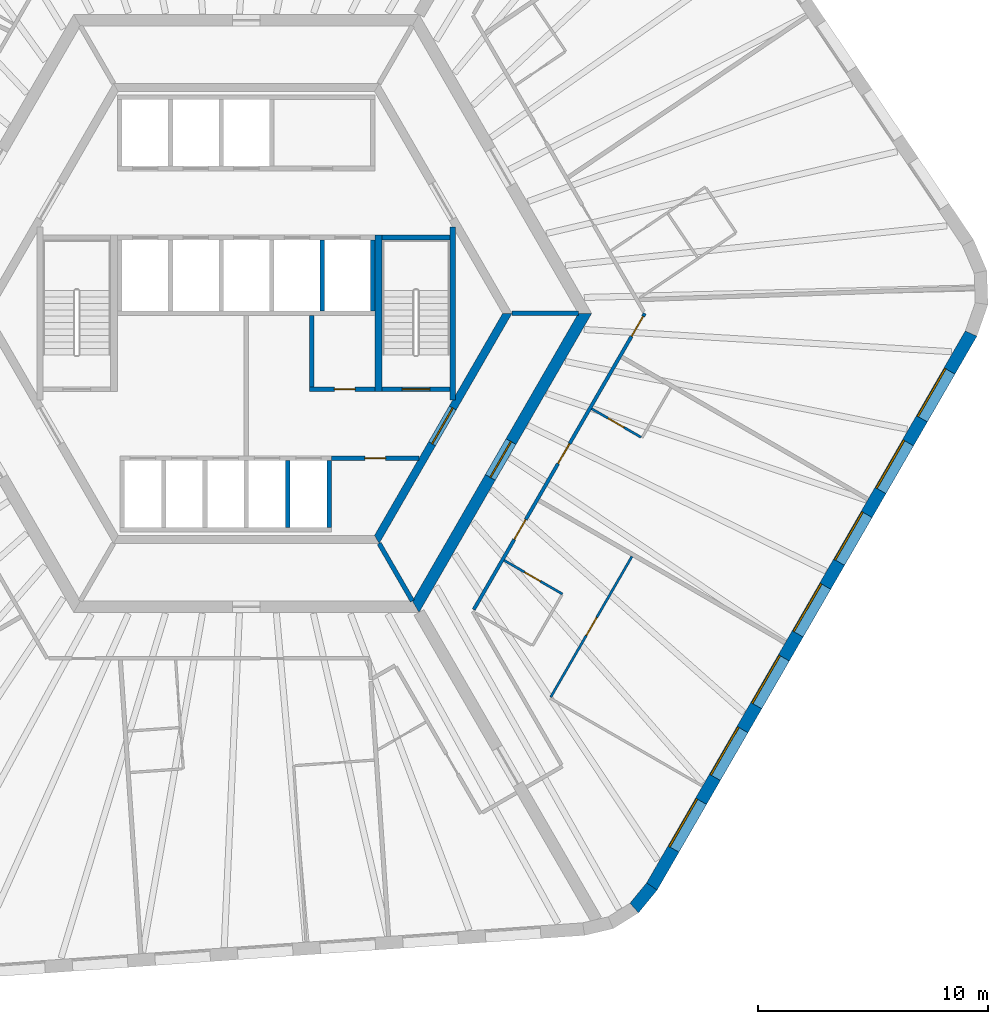
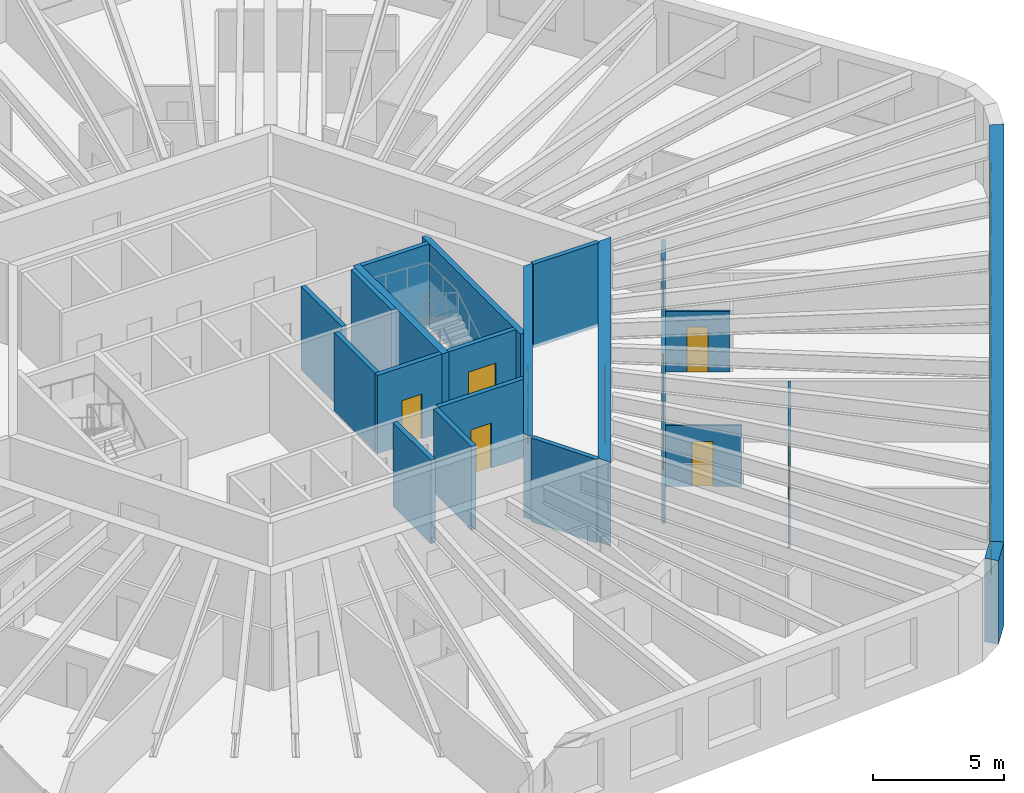
# One storey, part 5 of 10: 21 walls, 11 doors, 7 windows, 18 openings.
"""IFC4 building model written with IfcOpenShell, lengths in metres."""

from ifc_helpers import new_model, si_unit, direction, frame, frame_2d, origin, place, context, subcontext, project, spatial, polyline, rectangle, outline, extrude, material, layer, layer_set, type_object, element, fill, save


model = new_model("IFC4")

# Units and contexts
model_context = context("Model", 3, precision=1e-05, world=origin(), true_north=direction((0.0, 1.0)))
body_context = subcontext(model_context, "Body", "Model", "MODEL_VIEW")
ifc_project = project(units=[si_unit("LENGTHUNIT", "METRE"), si_unit("AREAUNIT", "SQUARE_METRE"), si_unit("VOLUMEUNIT", "CUBIC_METRE"), si_unit("PLANEANGLEUNIT", "RADIAN"), si_unit("MASSUNIT", "GRAM", prefix="KILO")], contexts=[model_context])

# Site, building, storey
site_placement = place(None, origin())
site = spatial("IfcSite", under=ifc_project, at=site_placement, CompositionType="ELEMENT")
building_placement = place(site_placement, origin())
building = spatial("IfcBuilding", under=site, at=building_placement, Name="Tarnside Tower", CompositionType="ELEMENT")
storey_placement = place(building_placement, frame((0.0, 0.0, 242.39990234375)))
storey = spatial("IfcBuildingStorey", under=building, at=storey_placement, Name="L58", CompositionType="ELEMENT", Elevation=242.39990234375)

# Wall, opening, door
ifc_material_1 = material(Name="Gypsum board partition on steel studs", Category="steel")
ifc_layer_1 = layer(ifc_material_1, 0.10009765625)
ifc_layer_set_1 = layer_set([ifc_layer_1], Name="Bathroom wall 100")
wall_type_1 = type_object("IfcWallType", Name="Bathroom wall 100", PredefinedType="PARTITIONING", material=ifc_layer_set_1)
wall_1_placement = place(storey_placement, frame((11.208740234375, -10.73583984375, 0.0), z_axis=(0.0, 0.0, 1.0), x_axis=(0.866046596414, -0.499963291492, 0.0)))
wall_1 = element("IfcWall", 1, at=wall_1_placement, inside=storey, type_object=wall_type_1, Name="Bathroom wall 19098", PredefinedType="PARTITIONING", context=body_context, shape_type="SweptSolid", body=[
    extrude(rectangle(XDim=2.925048828125, YDim=0.10009765625, at=frame_2d((1.46240234375, 0.0))), origin(), (0.0, 0.0, 1.0), 2.837890625),
])
opening_1_placement = place(wall_1_placement, frame((1.02490234375, 0.0, 0.0)))
opening_1 = element("IfcOpeningElement", 2, at=opening_1_placement, cuts=wall_1, Name="Opening D-B1", PredefinedType="OPENING", context=body_context, shape_type="SweptSolid", body=[
    extrude(rectangle(XDim=0.800048828125, YDim=2.10009765625, at=frame_2d((0.39990234375, 1.050048828125))), frame((0.0, 0.06005859375, 0.0), z_axis=(0.0, -1.0, 0.0), x_axis=(1.0, 0.0, 0.0)), (0.0, 0.0, 1.0), 0.1201171875),
])
ifc_material_2 = material(Name="Timber door leaf", Category="wood")
door_type_1 = type_object("IfcDoorType", Name="Bathroom door 800", OperationType="NOTDEFINED", PredefinedType="DOOR", material=ifc_material_2)
door_1_placement = place(opening_1_placement, origin())
door_1 = element("IfcDoor", 3, at=door_1_placement, inside=storey, type_object=door_type_1, Name="Bathroom door 19027", OperationType="SINGLE_SWING_RIGHT", OverallHeight=2.10009765625, OverallWidth=0.800048828125, PredefinedType="DOOR", context=body_context, shape_type="SweptSolid", body=[
    extrude(rectangle(XDim=0.800048828125, YDim=2.10009765625, at=frame_2d((0.39990234375, 1.050048828125))), frame((0.0, 0.02490234375, 0.0), z_axis=(0.0, -1.0, 0.0), x_axis=(1.0, 0.0, 0.0)), (0.0, 0.0, 1.0), 0.050048828125),
])
fill(opening_1, door_1)

wall_2_placement = place(storey_placement, frame((17.15771484375, -5.382080078125, 0.0), z_axis=(0.0, 0.0, 1.0), x_axis=(-0.866031185235, 0.4999899861, 0.0)))
wall_2 = element("IfcWall", 4, at=wall_2_placement, inside=storey, type_object=wall_type_1, Name="Bathroom wall 19106", PredefinedType="PARTITIONING", context=body_context, shape_type="SweptSolid", body=[
    extrude(rectangle(XDim=2.47509765625, YDim=0.10009765625, at=frame_2d((1.237548828125, 0.0))), origin(), (0.0, 0.0, 1.0), 2.837890625),
])
opening_2_placement = place(wall_2_placement, frame((0.85009765625, 0.0, 0.0)))
opening_2 = element("IfcOpeningElement", 5, at=opening_2_placement, cuts=wall_2, Name="Opening D-B1", PredefinedType="OPENING", context=body_context, shape_type="SweptSolid", body=[
    extrude(rectangle(XDim=0.800048828125, YDim=2.10009765625, at=frame_2d((0.39990234375, 1.050048828125))), frame((0.0, 0.06005859375, 0.0), z_axis=(0.0, -1.0, 0.0), x_axis=(1.0, 0.0, 0.0)), (0.0, 0.0, 1.0), 0.1201171875),
])
door_2_placement = place(opening_2_placement, origin())
door_2 = element("IfcDoor", 6, at=door_2_placement, inside=storey, type_object=door_type_1, Name="Bathroom door 19030", OperationType="SINGLE_SWING_LEFT", OverallHeight=2.10009765625, OverallWidth=0.800048828125, PredefinedType="DOOR", context=body_context, shape_type="SweptSolid", body=[
    extrude(rectangle(XDim=0.800048828125, YDim=2.10009765625, at=frame_2d((0.39990234375, 1.050048828125))), frame((0.0, 0.02490234375, 0.0), z_axis=(0.0, -1.0, 0.0), x_axis=(1.0, 0.0, 0.0)), (0.0, 0.0, 1.0), 0.050048828125),
])
fill(opening_2, door_2)

ifc_material_3 = material(Name="Concrete C50/60", Category="concrete")
ifc_layer_2 = layer(ifc_material_3, 0.35009765625)
ifc_layer_set_2 = layer_set([ifc_layer_2], Name="Core block wall 350 C50/60")
wall_type_2 = type_object("IfcWallType", Name="Core block wall 350 C50/60", PredefinedType="SHEAR", material=ifc_layer_set_2)
wall_3_placement = place(storey_placement, frame((5.672607421875, -9.824951171875, -0.14990234375), z_axis=(0.0, 0.0, 1.0), x_axis=(0.499995046907, 0.866028263435, 0.0)))
wall_3 = element("IfcWall", 7, at=wall_3_placement, inside=storey, type_object=wall_type_2, Name="L58 core block wall face 5", PredefinedType="SHEAR", context=body_context, shape_type="SweptSolid", body=[
    extrude(outline(polyline([(-0.10107421875, -0.175048828125), (11.44580078125, -0.175048828125), (11.24365234375, 0.175048828125), (0.10107421875, 0.175048828125), (-0.10107421875, -0.175048828125)])), origin(), (0.0, 0.0, 1.0), 3.89990234375),
])
opening_3_placement = place(wall_3_placement, frame((4.80126953125, 0.0, 0.14990234375)))
opening_3 = element("IfcOpeningElement", 8, at=opening_3_placement, cuts=wall_3, Name="Opening CD-FFL", PredefinedType="OPENING", context=body_context, shape_type="SweptSolid", body=[
    extrude(rectangle(XDim=1.800048828125, YDim=2.39990234375, at=frame_2d((0.89990234375, 1.199951171875))), frame((0.0, 0.18505859375, 0.0), z_axis=(0.0, -1.0, 0.0), x_axis=(1.0, 0.0, 0.0)), (0.0, 0.0, 1.0), 0.3701171875),
])
ifc_material_4 = material(Name="Steel fire door", Category="steel")
door_type_2 = type_object("IfcDoorType", Name="Firefighting lobby double door FD60S 1800x2400", OperationType="NOTDEFINED", PredefinedType="DOOR", material=ifc_material_4)
door_3_placement = place(opening_3_placement, origin())
door_3 = element("IfcDoor", 9, at=door_3_placement, inside=storey, type_object=door_type_2, Name="L58 lobby block door P4", OperationType="DOUBLE_DOOR_SINGLE_SWING", OverallHeight=2.39990234375, OverallWidth=1.800048828125, PredefinedType="DOOR", context=body_context, shape_type="SweptSolid", body=[
    extrude(rectangle(XDim=1.800048828125, YDim=2.39990234375, at=frame_2d((0.89990234375, 1.199951171875))), frame((0.0, 0.02490234375, 0.0), z_axis=(0.0, -1.0, 0.0), x_axis=(1.0, 0.0, 0.0)), (0.0, 0.0, 1.0), 0.050048828125),
])
fill(opening_3, door_3)

ifc_material_5 = material(Name="Concrete C40/50", Category="concrete")
ifc_layer_3 = layer(ifc_material_5, 0.199951171875)
ifc_layer_set_3 = layer_set([ifc_layer_3], Name="Core room partition 200 C40/50")
wall_type_3 = type_object("IfcWallType", Name="Core room partition 200 C40/50", PredefinedType="PARTITIONING", material=ifc_layer_set_3)
wall_4_placement = place(storey_placement, frame((2.75, -3.300048828125, 0.0), z_axis=(0.0, 0.0, 1.0), x_axis=(1.0, 0.0, 0.0)))
wall_4 = element("IfcWall", 10, at=wall_4_placement, inside=storey, type_object=wall_type_3, Name="L58 core partition R3S1", PredefinedType="PARTITIONING", context=body_context, shape_type="SweptSolid", body=[
    extrude(rectangle(XDim=2.85009765625, YDim=0.199951171875, at=frame_2d((1.425048828125, 0.0))), origin(), (0.0, 0.0, 1.0), 3.650146484375),
])
opening_4_placement = place(wall_4_placement, frame((1.074951171875, 0.0, 0.0)))
opening_4 = element("IfcOpeningElement", 11, at=opening_4_placement, cuts=wall_4, Name="Opening CD-room", PredefinedType="OPENING", context=body_context, shape_type="SweptSolid", body=[
    extrude(rectangle(XDim=0.89990234375, YDim=2.10009765625, at=frame_2d((0.449951171875, 1.050048828125))), frame((0.0, 0.10986328125, 0.0), z_axis=(0.0, -1.0, 0.0), x_axis=(1.0, 0.0, 0.0)), (0.0, 0.0, 1.0), 0.219970703125),
])
door_type_3 = type_object("IfcDoorType", Name="Room door FD60 900x2100", OperationType="NOTDEFINED", PredefinedType="DOOR", material=ifc_material_4)
door_4_placement = place(opening_4_placement, origin())
door_4 = element("IfcDoor", 12, at=door_4_placement, inside=storey, type_object=door_type_3, Name="L58 core room door SR1", OperationType="SINGLE_SWING_LEFT", OverallHeight=2.10009765625, OverallWidth=0.89990234375, PredefinedType="DOOR", context=body_context, shape_type="SweptSolid", body=[
    extrude(rectangle(XDim=0.89990234375, YDim=2.10009765625, at=frame_2d((0.449951171875, 1.050048828125))), frame((0.0, 0.02490234375, 0.0), z_axis=(0.0, -1.0, 0.0), x_axis=(1.0, 0.0, 0.0)), (0.0, 0.0, 1.0), 0.050048828125),
])
fill(opening_4, door_4)

# Wall
wall_5_placement = place(storey_placement, frame((2.85009765625, -3.199951171875, 0.0), z_axis=(0.0, 0.0, 1.0), x_axis=(0.0, 1.0, 0.0)))
element("IfcWall", 13, at=wall_5_placement, inside=storey, type_object=wall_type_3, Name="L58 core partition R3P1a", PredefinedType="PARTITIONING", context=body_context, shape_type="SweptSolid", body=[
    extrude(rectangle(XDim=3.099853515625, YDim=0.199951171875, at=frame_2d((1.5498046875, 0.0))), origin(), (0.0, 0.0, 1.0), 3.650146484375),
])

# Wall, opening, door
wall_6_placement = place(storey_placement, frame((3.699951171875, -6.300048828125, 0.0), z_axis=(0.0, 0.0, 1.0), x_axis=(1.0, 0.0, 0.0)))
wall_6 = element("IfcWall", 14, at=wall_6_placement, inside=storey, type_object=wall_type_3, Name="L58 core partition R4X", PredefinedType="PARTITIONING", context=body_context, shape_type="SweptSolid", body=[
    extrude(rectangle(XDim=3.8056640625, YDim=0.199951171875, at=frame_2d((1.90283203125, 0.0))), origin(), (0.0, 0.0, 1.0), 3.650146484375),
])
opening_5_placement = place(wall_6_placement, frame((1.452880859375, 0.0, 0.0)))
opening_5 = element("IfcOpeningElement", 15, at=opening_5_placement, cuts=wall_6, Name="Opening CD-room", PredefinedType="OPENING", context=body_context, shape_type="SweptSolid", body=[
    extrude(rectangle(XDim=0.89990234375, YDim=2.10009765625, at=frame_2d((0.449951171875, 1.050048828125))), frame((0.0, 0.10986328125, 0.0), z_axis=(0.0, -1.0, 0.0), x_axis=(1.0, 0.0, 0.0)), (0.0, 0.0, 1.0), 0.219970703125),
])
door_5_placement = place(opening_5_placement, origin())
door_5 = element("IfcDoor", 16, at=door_5_placement, inside=storey, type_object=door_type_3, Name="L58 core room door RX", OperationType="SINGLE_SWING_LEFT", OverallHeight=2.10009765625, OverallWidth=0.89990234375, PredefinedType="DOOR", context=body_context, shape_type="SweptSolid", body=[
    extrude(rectangle(XDim=0.89990234375, YDim=2.10009765625, at=frame_2d((0.449951171875, 1.050048828125))), frame((0.0, 0.02490234375, 0.0), z_axis=(0.0, -1.0, 0.0), x_axis=(1.0, 0.0, 0.0)), (0.0, 0.0, 1.0), 0.050048828125),
])
fill(opening_5, door_5)

ifc_material_6 = material(Name="Concrete C70/85", Category="concrete")
ifc_layer_4 = layer(ifc_material_6, 0.5)
ifc_layer_set_4 = layer_set([ifc_layer_4], Name="Core wall Z2 500 C70/85")
wall_type_4 = type_object("IfcWallType", Name="Core wall Z2 500 C70/85", PredefinedType="SHEAR", material=ifc_layer_set_4)
wall_7_placement = place(storey_placement, frame((7.361083984375, -12.75, -0.14990234375), z_axis=(0.0, 0.0, 1.0), x_axis=(0.50000571537, 0.866022103989, 0.0)))
wall_7 = element("IfcWall", 17, at=wall_7_placement, inside=storey, type_object=wall_type_4, Name="L58 core wall face 5", PredefinedType="SHEAR", context=body_context, shape_type="SweptSolid", body=[
    extrude(outline(polyline([(-0.144287109375, -0.25), (14.86669921875, -0.25), (14.578125, 0.25), (0.144287109375, 0.25), (-0.144287109375, -0.25)])), origin(), (0.0, 0.0, 1.0), 3.89990234375),
])
opening_6_placement = place(wall_7_placement, frame((6.489990234375, 0.0, 0.14990234375)))
opening_6 = element("IfcOpeningElement", 18, at=opening_6_placement, cuts=wall_7, Name="Opening CD-FFL", PredefinedType="OPENING", context=body_context, shape_type="SweptSolid", body=[
    extrude(rectangle(XDim=1.800048828125, YDim=2.39990234375, at=frame_2d((0.89990234375, 1.199951171875))), frame((0.0, 0.260009765625, 0.0), z_axis=(0.0, -1.0, 0.0), x_axis=(1.0, 0.0, 0.0)), (0.0, 0.0, 1.0), 0.52001953125),
])
door_6_placement = place(opening_6_placement, origin())
door_6 = element("IfcDoor", 19, at=door_6_placement, inside=storey, type_object=door_type_2, Name="L58 core door P4", OperationType="DOUBLE_DOOR_SINGLE_SWING", OverallHeight=2.39990234375, OverallWidth=1.800048828125, PredefinedType="DOOR", context=body_context, shape_type="SweptSolid", body=[
    extrude(rectangle(XDim=1.800048828125, YDim=2.39990234375, at=frame_2d((0.89990234375, 1.199951171875))), frame((0.0, 0.02490234375, 0.0), z_axis=(0.0, -1.0, 0.0), x_axis=(1.0, 0.0, 0.0)), (0.0, 0.0, 1.0), 0.050048828125),
])
fill(opening_6, door_6)

# Wall, openings, doors
ifc_layer_5 = layer(ifc_material_1, 0.14990234375)
ifc_layer_set_5 = layer_set([ifc_layer_5], Name="Corridor wall 150 EI 60")
wall_type_5 = type_object("IfcWallType", Name="Corridor wall 150 EI 60", PredefinedType="PARTITIONING", material=ifc_layer_set_5)
wall_8_placement = place(storey_placement, frame((9.88720703125, -12.875, 0.0), z_axis=(0.0, 0.0, 1.0), x_axis=(0.499998228944, 0.866026426302, 0.0)))
wall_8 = element("IfcWall", 20, at=wall_8_placement, inside=storey, type_object=wall_type_5, Name="Corridor wall 19036", PredefinedType="PARTITIONING", context=body_context, shape_type="SweptSolid", body=[
    extrude(rectangle(XDim=14.86669921875, YDim=0.14990234375, at=frame_2d((7.433349609375, 0.0))), origin(), (0.0, 0.0, 1.0), 2.837890625),
])
opening_7_placement = place(wall_8_placement, frame((3.518798828125, 0.0, 0.0)))
opening_7 = element("IfcOpeningElement", 21, at=opening_7_placement, cuts=wall_8, Name="Opening D-E1", PredefinedType="OPENING", context=body_context, shape_type="SweptSolid", body=[
    extrude(rectangle(XDim=1.0, YDim=2.10009765625, at=frame_2d((0.5, 1.050048828125))), frame((0.0, 0.0849609375, 0.0), z_axis=(0.0, -1.0, 0.0), x_axis=(1.0, 0.0, 0.0)), (0.0, 0.0, 1.0), 0.169921875),
])
opening_8_placement = place(wall_8_placement, frame((7.324462890625, 0.0, 0.0)))
opening_8 = element("IfcOpeningElement", 22, at=opening_8_placement, cuts=wall_8, Name="Opening D-E1", PredefinedType="OPENING", context=body_context, shape_type="SweptSolid", body=[
    extrude(rectangle(XDim=1.0, YDim=2.10009765625, at=frame_2d((0.5, 1.050048828125))), frame((0.0, 0.0849609375, 0.0), z_axis=(0.0, -1.0, 0.0), x_axis=(1.0, 0.0, 0.0)), (0.0, 0.0, 1.0), 0.169921875),
])
opening_9_placement = place(wall_8_placement, frame((13.716796875, 0.0, 0.0)))
opening_9 = element("IfcOpeningElement", 23, at=opening_9_placement, cuts=wall_8, Name="Opening D-E1", PredefinedType="OPENING", context=body_context, shape_type="SweptSolid", body=[
    extrude(rectangle(XDim=1.0, YDim=2.10009765625, at=frame_2d((0.5, 1.050048828125))), frame((0.0, 0.0849609375, 0.0), z_axis=(0.0, -1.0, 0.0), x_axis=(1.0, 0.0, 0.0)), (0.0, 0.0, 1.0), 0.169921875),
])
door_type_4 = type_object("IfcDoorType", Name="Unit entrance door 1000 FD30S", OperationType="NOTDEFINED", PredefinedType="DOOR", material=ifc_material_2)
door_7_placement = place(opening_7_placement, origin())
door_7 = element("IfcDoor", 24, at=door_7_placement, inside=storey, type_object=door_type_4, Name="Unit door 19026", OperationType="SINGLE_SWING_RIGHT", OverallHeight=2.10009765625, OverallWidth=1.0, PredefinedType="DOOR", context=body_context, shape_type="SweptSolid", body=[
    extrude(rectangle(XDim=1.0, YDim=2.10009765625, at=frame_2d((0.5, 1.050048828125))), frame((0.0, 0.02490234375, 0.0), z_axis=(0.0, -1.0, 0.0), x_axis=(1.0, 0.0, 0.0)), (0.0, 0.0, 1.0), 0.050048828125),
])
fill(opening_7, door_7)
door_8_placement = place(opening_8_placement, origin())
door_8 = element("IfcDoor", 25, at=door_8_placement, inside=storey, type_object=door_type_4, Name="Unit door 19029", OperationType="SINGLE_SWING_LEFT", OverallHeight=2.10009765625, OverallWidth=1.0, PredefinedType="DOOR", context=body_context, shape_type="SweptSolid", body=[
    extrude(rectangle(XDim=1.0, YDim=2.10009765625, at=frame_2d((0.5, 1.050048828125))), frame((0.0, 0.02490234375, 0.0), z_axis=(0.0, -1.0, 0.0), x_axis=(1.0, 0.0, 0.0)), (0.0, 0.0, 1.0), 0.050048828125),
])
fill(opening_8, door_8)
door_9_placement = place(opening_9_placement, origin())
door_9 = element("IfcDoor", 26, at=door_9_placement, inside=storey, type_object=door_type_4, Name="Unit door 19031", OperationType="SINGLE_SWING_LEFT", OverallHeight=2.10009765625, OverallWidth=1.0, PredefinedType="DOOR", context=body_context, shape_type="SweptSolid", body=[
    extrude(rectangle(XDim=1.0, YDim=2.10009765625, at=frame_2d((0.5, 1.050048828125))), frame((0.0, 0.02490234375, 0.0), z_axis=(0.0, -1.0, 0.0), x_axis=(1.0, 0.0, 0.0)), (0.0, 0.0, 1.0), 0.050048828125),
])
fill(opening_9, door_9)

# Walls
ifc_layer_6 = layer(ifc_material_5, 0.199951171875)
ifc_layer_set_6 = layer_set([ifc_layer_6], Name="Lift shaft wall 200 C40/50")
wall_type_6 = type_object("IfcWallType", Name="Lift shaft wall 200 C40/50", PredefinedType="SHEAR", material=ifc_layer_set_6)
for number, where, z_axis, x_axis, name in (
    (27, (3.300048828125, 0.10009765625, -0.25), (0.0, 0.0, 1.0), (0.0, 1.0, 0.0), "L58 lift shaft partition R25"),
    (28, (5.5, 0.10009765625, -0.25), (0.0, 0.0, 1.0), (0.0, 1.0, 0.0), "L58 lift shaft partition R26"),
):
    element("IfcWall", number, at=place(storey_placement, frame(where, z_axis=z_axis, x_axis=x_axis)), inside=storey, type_object=wall_type_6, Name=name, PredefinedType="SHEAR", context=body_context, shape_type="SweptSolid", body=[
        extrude(rectangle(XDim=3.099853515625, YDim=0.199951171875, at=frame_2d((1.5498046875, 0.0))), origin(), (0.0, 0.0, 1.0), 3.900146484375),
    ])
for number, where, z_axis, x_axis, name in (
    (29, (1.800048828125, -9.300048828125, -0.25), (0.0, 0.0, 1.0), (0.0, 1.0, 0.0), "L58 lift shaft partition R45"),
    (30, (3.60009765625, -9.300048828125, -0.25), (0.0, 0.0, 1.0), (0.0, 1.0, 0.0), "L58 lift shaft partition R46"),
):
    element("IfcWall", number, at=place(storey_placement, frame(where, z_axis=z_axis, x_axis=x_axis)), inside=storey, type_object=wall_type_6, Name=name, PredefinedType="SHEAR", context=body_context, shape_type="SweptSolid", body=[
        extrude(rectangle(XDim=2.900146484375, YDim=0.199951171875, at=frame_2d((1.4501953125, 0.0))), origin(), (0.0, 0.0, 1.0), 3.900146484375),
    ])
for number, where, z_axis, x_axis, name in (
    (31, (11.547119140625, 0.0, -0.14990234375), (0.0, 0.0, 1.0), (1.0, 0.0, 0.0), "L58 core partition AR0"),
    (32, (5.7734375, -10.0, -0.14990234375), (0.0, 0.0, 1.0), (0.499995765644, -0.866027848477, 0.0), "L58 core partition AR300"),
):
    element("IfcWall", number, at=place(storey_placement, frame(where, z_axis=z_axis, x_axis=x_axis)), inside=storey, type_object=wall_type_6, Name=name, PredefinedType="SHEAR", context=body_context, shape_type="SweptSolid", body=[
        extrude(rectangle(XDim=2.88671875, YDim=0.199951171875, at=frame_2d((1.443359375, 0.0))), origin(), (0.0, 0.0, 1.0), 3.89990234375),
    ])
wall_9_placement = place(storey_placement, frame((5.89990234375, 3.300048828125, -0.25), z_axis=(0.0, 0.0, 1.0), x_axis=(1.0, 0.0, 0.0)))
element("IfcWall", 33, at=wall_9_placement, inside=storey, type_object=wall_type_6, Name="L58 stair 1 enclosure cap wall n", PredefinedType="SHEAR", context=body_context, shape_type="SweptSolid", body=[
    extrude(rectangle(XDim=2.9501953125, YDim=0.199951171875, at=frame_2d((1.47509765625, 0.0))), origin(), (0.0, 0.0, 1.0), 3.900146484375),
])

# Wall, opening, door
wall_10_placement = place(storey_placement, frame((5.89990234375, -3.300048828125, -0.25), z_axis=(0.0, 0.0, 1.0), x_axis=(1.0, 0.0, 0.0)))
wall_10 = element("IfcWall", 34, at=wall_10_placement, inside=storey, type_object=wall_type_6, Name="L58 stair 1 enclosure cap wall s", PredefinedType="SHEAR", context=body_context, shape_type="SweptSolid", body=[
    extrude(rectangle(XDim=2.9501953125, YDim=0.199951171875, at=frame_2d((1.47509765625, 0.0))), origin(), (0.0, 0.0, 1.0), 3.900146484375),
])
opening_10_placement = place(wall_10_placement, frame((0.875, 0.0, 0.25)))
opening_10 = element("IfcOpeningElement", 35, at=opening_10_placement, cuts=wall_10, Name="Opening CD-STR", PredefinedType="OPENING", context=body_context, shape_type="SweptSolid", body=[
    extrude(rectangle(XDim=1.199951171875, YDim=2.39990234375, at=frame_2d((0.60009765625, 1.199951171875))), frame((0.0, 0.10986328125, 0.0), z_axis=(0.0, -1.0, 0.0), x_axis=(1.0, 0.0, 0.0)), (0.0, 0.0, 1.0), 0.219970703125),
])
door_type_5 = type_object("IfcDoorType", Name="Stair door FD60S 1200x2400", OperationType="NOTDEFINED", PredefinedType="DOOR", material=ifc_material_4)
door_10_placement = place(opening_10_placement, origin())
door_10 = element("IfcDoor", 36, at=door_10_placement, inside=storey, type_object=door_type_5, Name="L58 stair 1 door", OperationType="SINGLE_SWING_LEFT", OverallHeight=2.39990234375, OverallWidth=1.199951171875, PredefinedType="DOOR", context=body_context, shape_type="SweptSolid", body=[
    extrude(rectangle(XDim=1.199951171875, YDim=2.39990234375, at=frame_2d((0.60009765625, 1.199951171875))), frame((0.0, 0.02490234375, 0.0), z_axis=(0.0, -1.0, 0.0), x_axis=(1.0, 0.0, 0.0)), (0.0, 0.0, 1.0), 0.050048828125),
])
fill(opening_10, door_10)

ifc_layer_7 = layer(ifc_material_1, 0.10009765625)
ifc_layer_set_7 = layer_set([ifc_layer_7], Name="Partition 100")
wall_type_7 = type_object("IfcWallType", Name="Partition 100", PredefinedType="PARTITIONING", material=ifc_layer_set_7)
wall_11_placement = place(storey_placement, frame((13.231201171875, -16.682861328125, 0.0), z_axis=(0.0, 0.0, 1.0), x_axis=(0.499995846692, 0.866027801685, 0.0)))
wall_11 = element("IfcWall", 37, at=wall_11_placement, inside=storey, type_object=wall_type_7, Name="Partition wall 19102", PredefinedType="PARTITIONING", context=body_context, shape_type="SweptSolid", body=[
    extrude(rectangle(XDim=7.06005859375, YDim=0.10009765625, at=frame_2d((3.530029296875, 0.0))), origin(), (0.0, 0.0, 1.0), 2.837890625),
])
opening_11_placement = place(wall_11_placement, frame((3.10009765625, 0.0, 0.0)))
opening_11 = element("IfcOpeningElement", 38, at=opening_11_placement, cuts=wall_11, Name="Opening D-I1", PredefinedType="OPENING", context=body_context, shape_type="SweptSolid", body=[
    extrude(rectangle(XDim=0.89990234375, YDim=2.10009765625, at=frame_2d((0.449951171875, 1.050048828125))), frame((0.0, 0.06005859375, 0.0), z_axis=(0.0, -1.0, 0.0), x_axis=(1.0, 0.0, 0.0)), (0.0, 0.0, 1.0), 0.1201171875),
])
door_type_6 = type_object("IfcDoorType", Name="Internal door 900", OperationType="NOTDEFINED", PredefinedType="DOOR", material=ifc_material_2)
door_11_placement = place(opening_11_placement, origin())
door_11 = element("IfcDoor", 39, at=door_11_placement, inside=storey, type_object=door_type_6, Name="Internal door 19028", OperationType="SINGLE_SWING_LEFT", OverallHeight=2.10009765625, OverallWidth=0.89990234375, PredefinedType="DOOR", context=body_context, shape_type="SweptSolid", body=[
    extrude(rectangle(XDim=0.89990234375, YDim=2.10009765625, at=frame_2d((0.449951171875, 1.050048828125))), frame((0.0, 0.02490234375, 0.0), z_axis=(0.0, -1.0, 0.0), x_axis=(1.0, 0.0, 0.0)), (0.0, 0.0, 1.0), 0.050048828125),
])
fill(opening_11, door_11)

# Walls
ifc_layer_8 = layer(ifc_material_5, 0.25)
ifc_layer_set_8 = layer_set([ifc_layer_8], Name="Stair enclosure wall 250 C40/50")
wall_type_8 = type_object("IfcWallType", Name="Stair enclosure wall 250 C40/50", PredefinedType="SHEAR", material=ifc_layer_set_8)
wall_12_placement = place(storey_placement, frame((8.97509765625, -3.7548828125, -0.25), z_axis=(0.0, 0.0, 1.0), x_axis=(0.0, 1.0, 0.0)))
element("IfcWall", 40, at=wall_12_placement, inside=storey, type_object=wall_type_8, Name="L58 stair 1 enclosure wall outer", PredefinedType="SHEAR", context=body_context, shape_type="SweptSolid", body=[
    extrude(rectangle(XDim=7.509765625, YDim=0.25, at=frame_2d((3.7548828125, 0.0))), origin(), (0.0, 0.0, 1.0), 3.900146484375),
])
ifc_layer_9 = layer(ifc_material_5, 0.300048828125)
ifc_layer_set_9 = layer_set([ifc_layer_9], Name="Stair enclosure wall 300 C40/50")
wall_type_9 = type_object("IfcWallType", Name="Stair enclosure wall 300 C40/50", PredefinedType="SHEAR", material=ifc_layer_set_9)
wall_13_placement = place(storey_placement, frame((5.75, -3.39990234375, -0.25), z_axis=(0.0, 0.0, 1.0), x_axis=(0.0, 1.0, 0.0)))
element("IfcWall", 41, at=wall_13_placement, inside=storey, type_object=wall_type_9, Name="L58 stair 1 enclosure wall inner", PredefinedType="SHEAR", context=body_context, shape_type="SweptSolid", body=[
    extrude(rectangle(XDim=6.7998046875, YDim=0.300048828125, at=frame_2d((3.39990234375, 0.0))), origin(), (0.0, 0.0, 1.0), 3.900146484375),
])
ifc_material_7 = material(Name="Facing brick", Category="masonry")
ifc_layer_10 = layer(ifc_material_7, 0.10205078125)
ifc_material_8 = material(Name="Concrete C60/75 precast", Category="concrete")
ifc_layer_11 = layer(ifc_material_8, 0.347900390625)
ifc_material_9 = material(Name="Mineral wool insulation")
ifc_layer_12 = layer(ifc_material_9, 0.10009765625)
ifc_layer_set_10 = layer_set([ifc_layer_10, ifc_layer_11, ifc_layer_12], Name="Tube wall 550 brick faced")
wall_type_10 = type_object("IfcWallType", Name="Tube wall 550 brick faced", PredefinedType="SOLIDWALL", material=ifc_layer_set_10)
wall_14_placement = place(storey_placement, frame((16.8642578125, -25.848388671875, -0.14990234375), z_axis=(0.0, 0.0, 1.0), x_axis=(0.633842757806, 0.773461930787, 0.0)))
element("IfcWall", 42, at=wall_14_placement, inside=storey, type_object=wall_type_10, Name="Tube wall L58 F4 chord 15", PredefinedType="SOLIDWALL", context=body_context, shape_type="SweptSolid", body=[
    extrude(outline(polyline([(-0.045166015625, -0.27490234375), (1.230712890625, -0.27490234375), (1.185791015625, 0.27490234375), (0.045166015625, 0.27490234375), (-0.045166015625, -0.27490234375)])), origin(), (0.0, 0.0, 1.0), 3.89990234375),
])

# Wall, openings, windows
wall_15_placement = place(storey_placement, frame((17.630126953125, -24.913818359375, -0.14990234375), z_axis=(0.0, 0.0, 1.0), x_axis=(0.499998569178, 0.866026229868, 0.0)))
wall_15 = element("IfcWall", 43, at=wall_15_placement, inside=storey, type_object=wall_type_10, Name="Tube wall L58 F5 flush 16", PredefinedType="SOLIDWALL", context=body_context, shape_type="SweptSolid", body=[
    extrude(outline(polyline([(-0.0224609375, -0.27490234375), (27.783447265625, -0.27490234375), (27.732177734375, 0.27490234375), (0.0224609375, 0.27490234375), (-0.0224609375, -0.27490234375)])), origin(), (0.0, 0.0, 1.0), 3.89990234375),
])
opening_12_placement = place(wall_15_placement, frame((1.87890625, 0.0, 1.050048828125)))
opening_12 = element("IfcOpeningElement", 44, at=opening_12_placement, cuts=wall_15, Name="Opening WH", PredefinedType="OPENING", context=body_context, shape_type="SweptSolid", body=[
    extrude(rectangle(XDim=2.39990234375, YDim=2.39990234375, at=frame_2d((1.199951171875, 1.199951171875))), frame((0.0, 0.28515625, 0.0), z_axis=(0.0, -1.0, 0.0), x_axis=(1.0, 0.0, 0.0)), (0.0, 0.0, 1.0), 0.570068359375),
])
opening_13_placement = place(wall_15_placement, frame((5.47900390625, 0.0, 1.050048828125)))
opening_13 = element("IfcOpeningElement", 45, at=opening_13_placement, cuts=wall_15, Name="Opening WH", PredefinedType="OPENING", context=body_context, shape_type="SweptSolid", body=[
    extrude(rectangle(XDim=2.39990234375, YDim=2.39990234375, at=frame_2d((1.199951171875, 1.199951171875))), frame((0.0, 0.28515625, 0.0), z_axis=(0.0, -1.0, 0.0), x_axis=(1.0, 0.0, 0.0)), (0.0, 0.0, 1.0), 0.570068359375),
])
opening_14_placement = place(wall_15_placement, frame((9.078857421875, 0.0, 1.050048828125)))
opening_14 = element("IfcOpeningElement", 46, at=opening_14_placement, cuts=wall_15, Name="Opening WH", PredefinedType="OPENING", context=body_context, shape_type="SweptSolid", body=[
    extrude(rectangle(XDim=2.39990234375, YDim=2.39990234375, at=frame_2d((1.199951171875, 1.199951171875))), frame((0.0, 0.28515625, 0.0), z_axis=(0.0, -1.0, 0.0), x_axis=(1.0, 0.0, 0.0)), (0.0, 0.0, 1.0), 0.570068359375),
])
opening_15_placement = place(wall_15_placement, frame((12.678955078125, 0.0, 1.050048828125)))
opening_15 = element("IfcOpeningElement", 47, at=opening_15_placement, cuts=wall_15, Name="Opening WH", PredefinedType="OPENING", context=body_context, shape_type="SweptSolid", body=[
    extrude(rectangle(XDim=2.39990234375, YDim=2.39990234375, at=frame_2d((1.199951171875, 1.199951171875))), frame((0.0, 0.28515625, 0.0), z_axis=(0.0, -1.0, 0.0), x_axis=(1.0, 0.0, 0.0)), (0.0, 0.0, 1.0), 0.570068359375),
])
opening_16_placement = place(wall_15_placement, frame((16.27880859375, 0.0, 1.050048828125)))
opening_16 = element("IfcOpeningElement", 48, at=opening_16_placement, cuts=wall_15, Name="Opening WH", PredefinedType="OPENING", context=body_context, shape_type="SweptSolid", body=[
    extrude(rectangle(XDim=2.39990234375, YDim=2.39990234375, at=frame_2d((1.199951171875, 1.199951171875))), frame((0.0, 0.28515625, 0.0), z_axis=(0.0, -1.0, 0.0), x_axis=(1.0, 0.0, 0.0)), (0.0, 0.0, 1.0), 0.570068359375),
])
opening_17_placement = place(wall_15_placement, frame((19.87890625, 0.0, 1.050048828125)))
opening_17 = element("IfcOpeningElement", 49, at=opening_17_placement, cuts=wall_15, Name="Opening WH", PredefinedType="OPENING", context=body_context, shape_type="SweptSolid", body=[
    extrude(rectangle(XDim=2.39990234375, YDim=2.39990234375, at=frame_2d((1.199951171875, 1.199951171875))), frame((0.0, 0.28515625, 0.0), z_axis=(0.0, -1.0, 0.0), x_axis=(1.0, 0.0, 0.0)), (0.0, 0.0, 1.0), 0.570068359375),
])
opening_18_placement = place(wall_15_placement, frame((23.47900390625, 0.0, 1.050048828125)))
opening_18 = element("IfcOpeningElement", 50, at=opening_18_placement, cuts=wall_15, Name="Opening WH", PredefinedType="OPENING", context=body_context, shape_type="SweptSolid", body=[
    extrude(rectangle(XDim=2.39990234375, YDim=2.39990234375, at=frame_2d((1.199951171875, 1.199951171875))), frame((0.0, 0.28515625, 0.0), z_axis=(0.0, -1.0, 0.0), x_axis=(1.0, 0.0, 0.0)), (0.0, 0.0, 1.0), 0.570068359375),
])
ifc_material_10 = material(Name="Aluminium-framed double glazing", Category="aluminium")
window_type = type_object("IfcWindowType", Name="Hotel window 2400 x 2400", PartitioningType="DOUBLE_PANEL_VERTICAL", PredefinedType="WINDOW", material=ifc_material_10)
window_1_placement = place(opening_12_placement, frame((0.0, 0.205078125, 0.0)))
window_1 = element("IfcWindow", 51, at=window_1_placement, inside=storey, type_object=window_type, Name="E.WN.L58.F5.00", OverallHeight=2.39990234375, OverallWidth=2.39990234375, PartitioningType="DOUBLE_PANEL_VERTICAL", PredefinedType="WINDOW", context=body_context, shape_type="SweptSolid", body=[
    extrude(rectangle(XDim=2.39990234375, YDim=2.39990234375, at=frame_2d((1.199951171875, 1.199951171875))), frame((0.0, 0.030029296875, 0.0), z_axis=(0.0, -1.0, 0.0), x_axis=(1.0, 0.0, 0.0)), (0.0, 0.0, 1.0), 0.06005859375),
])
fill(opening_12, window_1)
window_2_placement = place(opening_13_placement, frame((0.0, 0.205078125, 0.0)))
window_2 = element("IfcWindow", 52, at=window_2_placement, inside=storey, type_object=window_type, Name="E.WN.L58.F5.01", OverallHeight=2.39990234375, OverallWidth=2.39990234375, PartitioningType="DOUBLE_PANEL_VERTICAL", PredefinedType="WINDOW", context=body_context, shape_type="SweptSolid", body=[
    extrude(rectangle(XDim=2.39990234375, YDim=2.39990234375, at=frame_2d((1.199951171875, 1.199951171875))), frame((0.0, 0.030029296875, 0.0), z_axis=(0.0, -1.0, 0.0), x_axis=(1.0, 0.0, 0.0)), (0.0, 0.0, 1.0), 0.06005859375),
])
fill(opening_13, window_2)
window_3_placement = place(opening_14_placement, frame((0.0, 0.205078125, 0.0)))
window_3 = element("IfcWindow", 53, at=window_3_placement, inside=storey, type_object=window_type, Name="E.WN.L58.F5.02", OverallHeight=2.39990234375, OverallWidth=2.39990234375, PartitioningType="DOUBLE_PANEL_VERTICAL", PredefinedType="WINDOW", context=body_context, shape_type="SweptSolid", body=[
    extrude(rectangle(XDim=2.39990234375, YDim=2.39990234375, at=frame_2d((1.199951171875, 1.199951171875))), frame((0.0, 0.030029296875, 0.0), z_axis=(0.0, -1.0, 0.0), x_axis=(1.0, 0.0, 0.0)), (0.0, 0.0, 1.0), 0.06005859375),
])
fill(opening_14, window_3)
window_4_placement = place(opening_15_placement, frame((0.0, 0.205078125, 0.0)))
window_4 = element("IfcWindow", 54, at=window_4_placement, inside=storey, type_object=window_type, Name="E.WN.L58.F5.03", OverallHeight=2.39990234375, OverallWidth=2.39990234375, PartitioningType="DOUBLE_PANEL_VERTICAL", PredefinedType="WINDOW", context=body_context, shape_type="SweptSolid", body=[
    extrude(rectangle(XDim=2.39990234375, YDim=2.39990234375, at=frame_2d((1.199951171875, 1.199951171875))), frame((0.0, 0.030029296875, 0.0), z_axis=(0.0, -1.0, 0.0), x_axis=(1.0, 0.0, 0.0)), (0.0, 0.0, 1.0), 0.06005859375),
])
fill(opening_15, window_4)
window_5_placement = place(opening_16_placement, frame((0.0, 0.205078125, 0.0)))
window_5 = element("IfcWindow", 55, at=window_5_placement, inside=storey, type_object=window_type, Name="E.WN.L58.F5.04", OverallHeight=2.39990234375, OverallWidth=2.39990234375, PartitioningType="DOUBLE_PANEL_VERTICAL", PredefinedType="WINDOW", context=body_context, shape_type="SweptSolid", body=[
    extrude(rectangle(XDim=2.39990234375, YDim=2.39990234375, at=frame_2d((1.199951171875, 1.199951171875))), frame((0.0, 0.030029296875, 0.0), z_axis=(0.0, -1.0, 0.0), x_axis=(1.0, 0.0, 0.0)), (0.0, 0.0, 1.0), 0.06005859375),
])
fill(opening_16, window_5)
window_6_placement = place(opening_17_placement, frame((0.0, 0.205078125, 0.0)))
window_6 = element("IfcWindow", 56, at=window_6_placement, inside=storey, type_object=window_type, Name="E.WN.L58.F5.05", OverallHeight=2.39990234375, OverallWidth=2.39990234375, PartitioningType="DOUBLE_PANEL_VERTICAL", PredefinedType="WINDOW", context=body_context, shape_type="SweptSolid", body=[
    extrude(rectangle(XDim=2.39990234375, YDim=2.39990234375, at=frame_2d((1.199951171875, 1.199951171875))), frame((0.0, 0.030029296875, 0.0), z_axis=(0.0, -1.0, 0.0), x_axis=(1.0, 0.0, 0.0)), (0.0, 0.0, 1.0), 0.06005859375),
])
fill(opening_17, window_6)
window_7_placement = place(opening_18_placement, frame((0.0, 0.205078125, 0.0)))
window_7 = element("IfcWindow", 57, at=window_7_placement, inside=storey, type_object=window_type, Name="E.WN.L58.F5.06", OverallHeight=2.39990234375, OverallWidth=2.39990234375, PartitioningType="DOUBLE_PANEL_VERTICAL", PredefinedType="WINDOW", context=body_context, shape_type="SweptSolid", body=[
    extrude(rectangle(XDim=2.39990234375, YDim=2.39990234375, at=frame_2d((1.199951171875, 1.199951171875))), frame((0.0, 0.030029296875, 0.0), z_axis=(0.0, -1.0, 0.0), x_axis=(1.0, 0.0, 0.0)), (0.0, 0.0, 1.0), 0.06005859375),
])
fill(opening_18, window_7)

save(model, "model.ifc")
